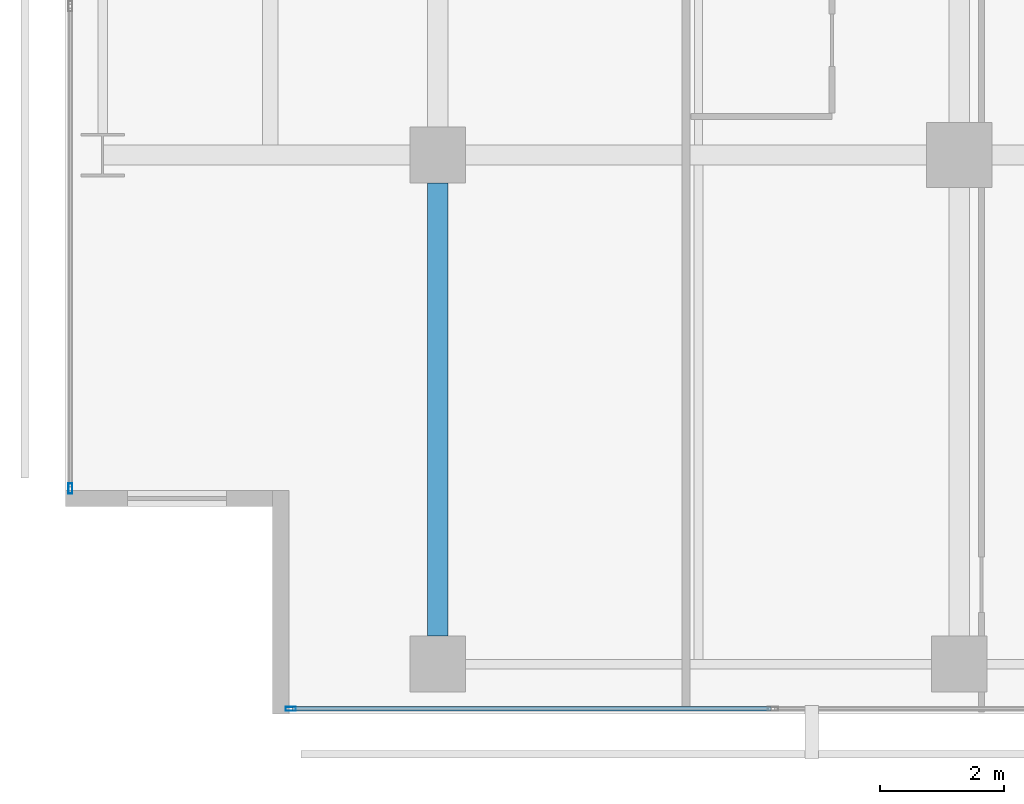
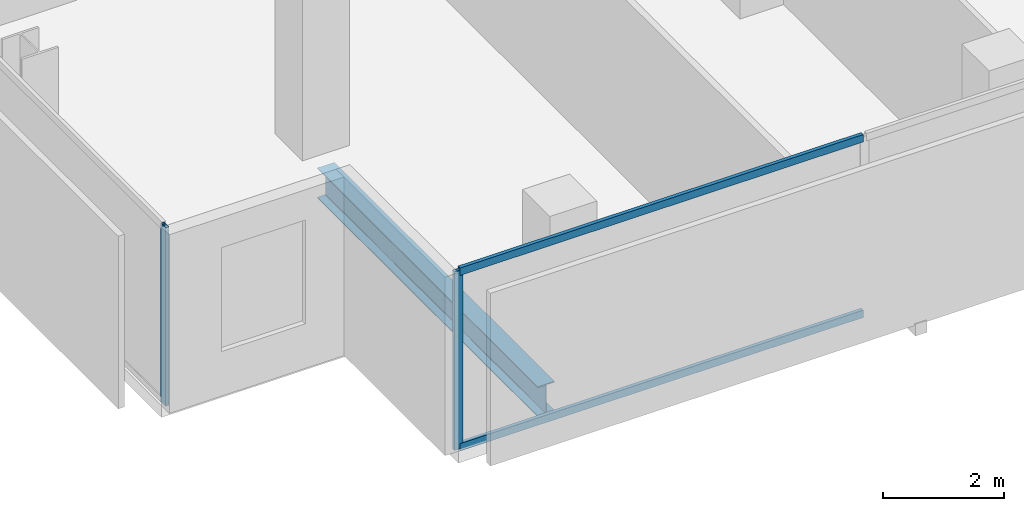
# One storey, part 2 of 40: 4 members, 1 beam, 2 elements without a shape of their own.
"""IFC4 building model written with IfcOpenShell, lengths in metres."""

from ifc_helpers import new_model, si_unit, direction, frame, origin, origin_2d, place, context, subcontext, project, spatial, hollow_rectangle, i_section, extrude, material, layer, layer_set, material_profile, profile_set, type_object, element, aggregate, save


model = new_model("IFC4")

# Units and contexts
model_context = context("Model", 3, precision=1e-05, world=origin(), true_north=direction((0.0, 1.0)))
body_context = subcontext(model_context, "Body", "Model", "MODEL_VIEW")
ifc_project = project(units=[si_unit("LENGTHUNIT", "METRE"), si_unit("AREAUNIT", "SQUARE_METRE"), si_unit("VOLUMEUNIT", "CUBIC_METRE"), si_unit("PLANEANGLEUNIT", "RADIAN"), si_unit("MASSUNIT", "GRAM", prefix="KILO")], contexts=[model_context])

# Site, building, storey
site_placement = place(None, origin())
site = spatial("IfcSite", under=ifc_project, at=site_placement, CompositionType="ELEMENT")
building_placement = place(site_placement, origin())
building = spatial("IfcBuilding", under=site, at=building_placement, Name="Maruvema Waterfront Hotel and Observation Tower", CompositionType="ELEMENT")
storey_placement = place(building_placement, frame((0.0, 0.0, 92.39990234375)))
storey = spatial("IfcBuildingStorey", under=building, at=storey_placement, Name="L22", CompositionType="ELEMENT", Elevation=92.39990234375)

# Curtain wall, members
ifc_material_1 = material(Name="Anodised bronze aluminium and solar-control low-E IGU", Category="aluminium")
ifc_layer = layer(ifc_material_1, 0.159912109375, Name="Zone 1 Bronze Inner Thermal Curtain Wall System CW-02")
ifc_layer_set = layer_set([ifc_layer], Name="Anodised bronze aluminium and solar-control low-E IGU")
curtain_wall_type = type_object("IfcCurtainWallType", Name="Zone 1 Bronze Inner Thermal Curtain Wall System CW-02", PredefinedType="USERDEFINED", material=ifc_layer_set)
curtain_wall_1_placement = place(storey_placement, origin())
curtain_wall_1 = element("IfcCurtainWall", 1, at=curtain_wall_1_placement, inside=storey, type_object=curtain_wall_type, Name="L22 Curtain Wall CW-L22-S", ObjectType="UNITISED CURTAIN WALL", PredefinedType="USERDEFINED")
ifc_material_2 = material(Name="Anodised architectural bronze aluminium", Category="aluminium")
ifc_material_profile_1 = material_profile(ifc_material_2, hollow_rectangle(XDim=0.070068359375, YDim=0.14990234375, WallThickness=0.00390625, at=origin_2d()), Name="ALU-T70x150")
ifc_profile_set_1 = profile_set([ifc_material_profile_1], Name="Anodised architectural bronze aluminium")
member_type_1 = type_object("IfcMemberType", Name="Curtain Wall Horizontal Transom ALU-T70x150", PredefinedType="USERDEFINED", material=ifc_profile_set_1)
member_1_placement = place(storey_placement, frame((14.4599609375, 0.080078125, 0.030029296875), z_axis=(1.0, 0.0, 0.0), x_axis=(0.0, 1.0, 0.0)))
member_1 = element("IfcMember", 2, at=member_1_placement, type_object=member_type_1, Name="CW-02 transom 1.1", ObjectType="TRANSOM", PredefinedType="USERDEFINED", context=body_context, shape_type="SweptSolid", body=[
    extrude(hollow_rectangle(XDim=0.070068359375, YDim=0.14990234375, WallThickness=0.00390625, at=origin_2d()), origin(), (0.0, 0.0, 1.0), 7.7099609375),
])
member_2_placement = place(storey_placement, frame((14.4599609375, 0.080078125, 3.580078125), z_axis=(1.0, 0.0, 0.0), x_axis=(0.0, 1.0, 0.0)))
member_2 = element("IfcMember", 3, at=member_2_placement, type_object=member_type_1, Name="CW-02 transom 1.2", ObjectType="TRANSOM", PredefinedType="USERDEFINED", context=body_context, shape_type="SweptSolid", body=[
    extrude(hollow_rectangle(XDim=0.070068359375, YDim=0.14990234375, WallThickness=0.00390625, at=origin_2d()), origin(), (0.0, 0.0, 1.0), 7.7099609375),
])
ifc_material_3 = material(Name="Anodised architectural bronze aluminium", Category="aluminium")
ifc_material_profile_2 = material_profile(ifc_material_3, hollow_rectangle(XDim=0.06494140625, YDim=0.1650390625, WallThickness=0.00390625, at=origin_2d()), Name="ALU-M65x165")
ifc_profile_set_2 = profile_set([ifc_material_profile_2], Name="Anodised architectural bronze aluminium")
member_type_2 = type_object("IfcMemberType", Name="Curtain Wall Primary Mullion ALU-M65x165", PredefinedType="MULLION", material=ifc_profile_set_2)
member_3_placement = place(storey_placement, frame((14.429931640625, 0.080078125, 0.0), z_axis=(0.0, 0.0, 1.0), x_axis=(0.0, 1.0, 0.0)))
member_3 = element("IfcMember", 4, at=member_3_placement, type_object=member_type_2, Name="CW-02 mullion 1", PredefinedType="MULLION", context=body_context, shape_type="SweptSolid", body=[
    extrude(hollow_rectangle(XDim=0.06494140625, YDim=0.1650390625, WallThickness=0.00390625, at=origin_2d()), origin(), (0.0, 0.0, 1.0), 3.610107421875),
])
aggregate(curtain_wall_1, [member_3, member_1, member_2])

# Curtain wall, member
curtain_wall_2_placement = place(storey_placement, origin())
curtain_wall_2 = element("IfcCurtainWall", 5, at=curtain_wall_2_placement, inside=storey, type_object=curtain_wall_type, Name="L22 Curtain Wall CW-L22-W", ObjectType="UNITISED CURTAIN WALL", PredefinedType="USERDEFINED")
member_4_placement = place(storey_placement, frame((10.8798828125, 3.6298828125, 0.0), z_axis=(0.0, 0.0, 1.0), x_axis=(1.0, 0.0, 0.0)))
member_4 = element("IfcMember", 6, at=member_4_placement, type_object=member_type_2, Name="CW-02 mullion 7", PredefinedType="MULLION", context=body_context, shape_type="SweptSolid", body=[
    extrude(hollow_rectangle(XDim=0.06494140625, YDim=0.1650390625, WallThickness=0.00390625, at=origin_2d()), origin(), (0.0, 0.0, 1.0), 3.610107421875),
])
aggregate(curtain_wall_2, [member_4])

# Beam
ifc_material_4 = material(Name="Steel ASTM A572 Grade 50", Category="steel")
ifc_material_profile_3 = material_profile(ifc_material_4, i_section(OverallWidth=0.323974609375, OverallDepth=0.611083984375, WebThickness=0.0126953125, FlangeThickness=0.01904296875, FilletRadius=0.01806640625, at=origin_2d()), Name="W610x155.0")
ifc_profile_set_3 = profile_set([ifc_material_profile_3], Name="Steel ASTM A572 Grade 50")
beam_type = type_object("IfcBeamType", Name="Primary Floor Girder W610x155.0", PredefinedType="BEAM", material=ifc_profile_set_3)
beam_placement = place(storey_placement, frame((16.800048828125, 1.25, -0.54541015625), z_axis=(0.0, 1.0, 0.0), x_axis=(-1.0, 0.0, 0.0)))
element("IfcBeam", 7, at=beam_placement, inside=storey, type_object=beam_type, Name="L22 Floor Girder NS-05", PredefinedType="BEAM", context=body_context, shape_type="SweptSolid", body=[
    extrude(i_section(OverallWidth=0.323974609375, OverallDepth=0.611083984375, WebThickness=0.0126953125, FlangeThickness=0.01904296875, FilletRadius=0.01806640625, at=origin_2d()), origin(), (0.0, 0.0, 1.0), 7.300048828125),
])

save(model, "model.ifc")
